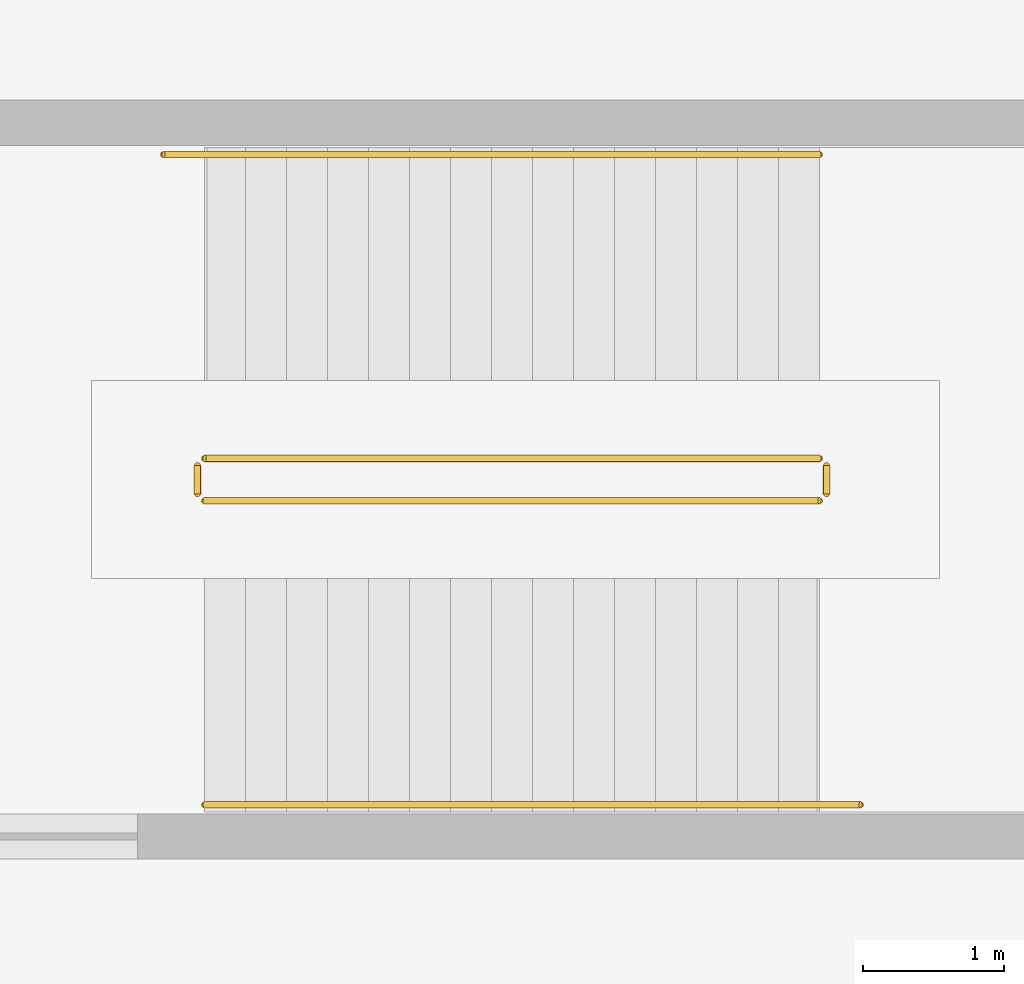
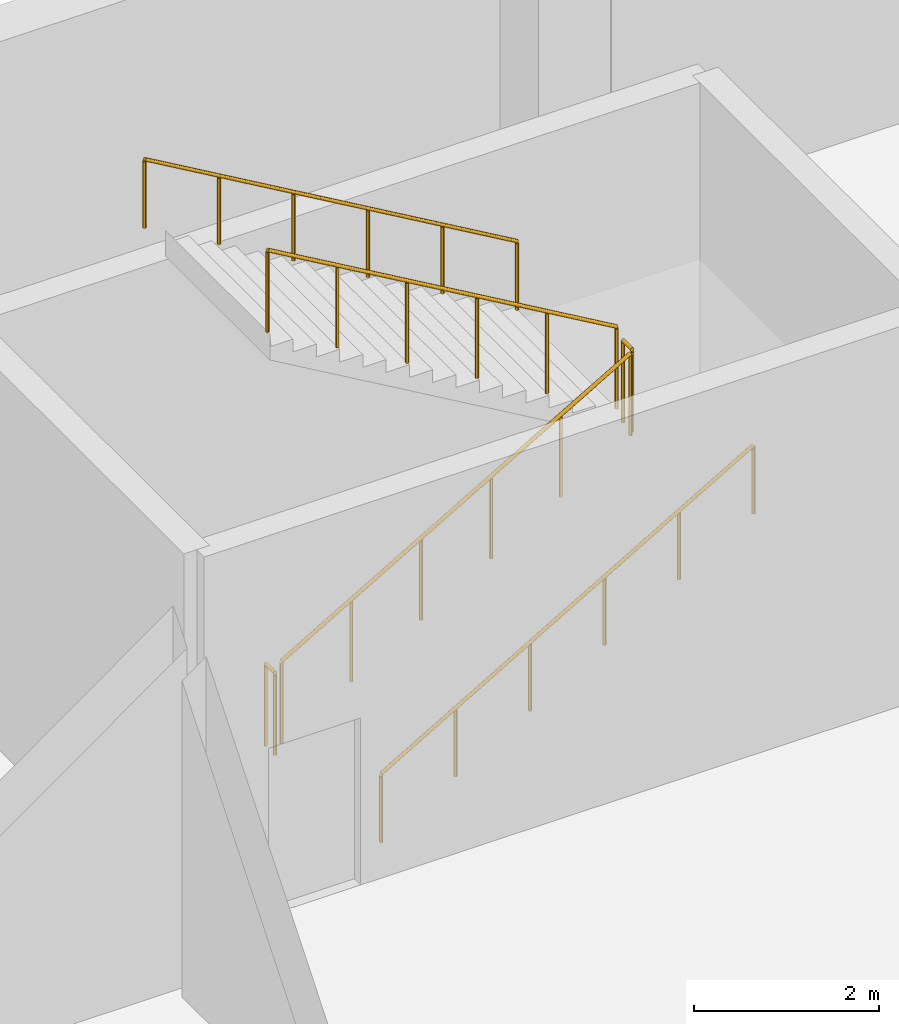
# One storey, part 58 of 60: 6 railings.
"""IFC4 building model written with IfcOpenShell, lengths in metres."""

from ifc_helpers import new_model, si_unit, direction, frame, origin, origin_2d, place, context, subcontext, project, spatial, circle, extrude, material, type_object, element, save


model = new_model("IFC4")

# Units and contexts
model_context = context("Model", 3, precision=1e-05, world=origin(), true_north=direction((0.0, 1.0)))
body_context = subcontext(model_context, "Body", "Model", "MODEL_VIEW")
ifc_project = project(units=[si_unit("LENGTHUNIT", "METRE"), si_unit("AREAUNIT", "SQUARE_METRE"), si_unit("VOLUMEUNIT", "CUBIC_METRE"), si_unit("PLANEANGLEUNIT", "RADIAN"), si_unit("MASSUNIT", "GRAM", prefix="KILO")], contexts=[model_context])

# Site, building, storey
site_placement = place(None, origin())
site = spatial("IfcSite", under=ifc_project, at=site_placement, CompositionType="ELEMENT")
building_placement = place(site_placement, origin())
building = spatial("IfcBuilding", under=site, at=building_placement, Name="Trimount Lyric Opera House", CompositionType="ELEMENT")
storey_placement = place(building_placement, frame((0.0, 0.0, -5.39990234375)))
storey = spatial("IfcBuildingStorey", under=building, at=storey_placement, Name="B1", CompositionType="ELEMENT", Elevation=-5.39990234375)

# Railings
ifc_material_1 = material(Name="Brushed Stainless Steel 316", Category="steel")
railing_type_1 = type_object("IfcRailingType", Name="RL-GRD110", PredefinedType="GUARDRAIL", material=ifc_material_1)
railing_1_placement = place(storey_placement, frame((106.550048828125, 110.60009765625, 0.168701171875)))
element("IfcRailing", 1, at=railing_1_placement, inside=storey, type_object=railing_type_1, Name="B1 ST-02 stair guard 1", PredefinedType="GUARDRAIL", context=body_context, shape_type="SweptSolid", body=[
    extrude(circle(Radius=0.02392578125, at=origin_2d()), frame((0.0, 0.0, 1.076171875), z_axis=(0.864311530196, 0.0, 0.502956835891), x_axis=(0.0, 1.0, 0.0)), (0.0, 0.0, 1.0), 5.03271484375),
    extrude(circle(Radius=0.02099609375, at=origin_2d()), origin(), (0.0, 0.0, 1.0), 1.052001953125),
    extrude(circle(Radius=0.02099609375, at=origin_2d()), frame((0.869873046875, 0.0, 0.50634765625)), (0.0, 0.0, 1.0), 1.052001953125),
    extrude(circle(Radius=0.02099609375, at=origin_2d()), frame((1.739990234375, 0.0, 1.012451171875)), (0.0, 0.0, 1.0), 1.052001953125),
    extrude(circle(Radius=0.02099609375, at=origin_2d()), frame((2.60986328125, 0.0, 1.518798828125)), (0.0, 0.0, 1.0), 1.052001953125),
    extrude(circle(Radius=0.02099609375, at=origin_2d()), frame((3.47998046875, 0.0, 2.02490234375)), (0.0, 0.0, 1.0), 1.052001953125),
    extrude(circle(Radius=0.02099609375, at=origin_2d()), frame((4.349853515625, 0.0, 2.53125)), (0.0, 0.0, 1.0), 1.052001953125),
])
railing_2_placement = place(storey_placement, frame((110.949951171875, 110.64990234375, 2.699951171875)))
element("IfcRailing", 2, at=railing_2_placement, inside=storey, type_object=railing_type_1, Name="B1 ST-02 stair guard 2", PredefinedType="GUARDRAIL", context=body_context, shape_type="SweptSolid", body=[
    extrude(circle(Radius=0.02392578125, at=origin_2d()), frame((0.0, 0.0, 1.076171875), z_axis=(0.0, 1.0, 0.0), x_axis=(-1.0, 0.0, 0.0)), (0.0, 0.0, 1.0), 0.2001953125),
    extrude(circle(Radius=0.02099609375, at=origin_2d()), origin(), (0.0, 0.0, 1.0), 1.052001953125),
    extrude(circle(Radius=0.02099609375, at=origin_2d()), frame((0.0, 0.2001953125, 0.0)), (0.0, 0.0, 1.0), 1.052001953125),
])
railing_3_placement = place(storey_placement, frame((110.89990234375, 110.89990234375, 2.86865234375)))
element("IfcRailing", 3, at=railing_3_placement, inside=storey, type_object=railing_type_1, Name="B1 ST-02 stair guard 3", PredefinedType="GUARDRAIL", context=body_context, shape_type="SweptSolid", body=[
    extrude(circle(Radius=0.02392578125, at=origin_2d()), frame((0.0, 0.0, 1.076171875), z_axis=(-0.864311530196, 0.0, 0.502956835891), x_axis=(0.0, -1.0, 0.0)), (0.0, 0.0, 1.0), 5.03271484375),
    extrude(circle(Radius=0.02099609375, at=origin_2d()), origin(), (0.0, 0.0, 1.0), 1.052001953125),
    extrude(circle(Radius=0.02099609375, at=origin_2d()), frame((-0.869873046875, 0.0, 0.50634765625)), (0.0, 0.0, 1.0), 1.052001953125),
    extrude(circle(Radius=0.02099609375, at=origin_2d()), frame((-1.739990234375, 0.0, 1.012451171875)), (0.0, 0.0, 1.0), 1.052001953125),
    extrude(circle(Radius=0.02099609375, at=origin_2d()), frame((-2.60986328125, 0.0, 1.518798828125)), (0.0, 0.0, 1.0), 1.052001953125),
    extrude(circle(Radius=0.02099609375, at=origin_2d()), frame((-3.47998046875, 0.0, 2.02490234375)), (0.0, 0.0, 1.0), 1.052001953125),
    extrude(circle(Radius=0.02099609375, at=origin_2d()), frame((-4.349853515625, 0.0, 2.53125)), (0.0, 0.0, 1.0), 1.052001953125),
])
railing_4_placement = place(storey_placement, frame((106.5, 110.64990234375, 0.0)))
element("IfcRailing", 4, at=railing_4_placement, inside=storey, type_object=railing_type_1, Name="B1 ST-02 stair guard 4", PredefinedType="GUARDRAIL", context=body_context, shape_type="SweptSolid", body=[
    extrude(circle(Radius=0.02392578125, at=origin_2d()), frame((0.0, 0.0, 1.076171875), z_axis=(0.0, 1.0, 0.0), x_axis=(-1.0, 0.0, 0.0)), (0.0, 0.0, 1.0), 0.2001953125),
    extrude(circle(Radius=0.02099609375, at=origin_2d()), origin(), (0.0, 0.0, 1.0), 1.052001953125),
    extrude(circle(Radius=0.02099609375, at=origin_2d()), frame((0.0, 0.2001953125, 0.0)), (0.0, 0.0, 1.0), 1.052001953125),
])
ifc_material_2 = material(Name="Brushed Stainless Steel 316", Category="steel")
railing_type_2 = type_object("IfcRailingType", Name="RL-HND092", PredefinedType="HANDRAIL", material=ifc_material_2)
railing_5_placement = place(storey_placement, frame((106.550048828125, 108.449951171875, 0.168701171875)))
element("IfcRailing", 5, at=railing_5_placement, inside=storey, type_object=railing_type_2, Name="B1 ST-02 stair handrail 1", PredefinedType="HANDRAIL", context=body_context, shape_type="SweptSolid", body=[
    extrude(circle(Radius=0.0224609375, at=origin_2d()), frame((0.0, 0.0, 0.8974609375), z_axis=(0.864060742353, 0.0, 0.503387557976), x_axis=(0.0, 1.0, 0.0)), (0.0, 0.0, 1.0), 5.369873046875),
    extrude(circle(Radius=0.02099609375, at=origin_2d()), origin(), (0.0, 0.0, 1.0), 0.875),
    extrude(circle(Radius=0.02099609375, at=origin_2d()), frame((0.927978515625, 0.0, 0.54052734375)), (0.0, 0.0, 1.0), 0.875),
    extrude(circle(Radius=0.02099609375, at=origin_2d()), frame((1.85595703125, 0.0, 1.081298828125)), (0.0, 0.0, 1.0), 0.875),
    extrude(circle(Radius=0.02099609375, at=origin_2d()), frame((2.783935546875, 0.0, 1.621826171875)), (0.0, 0.0, 1.0), 0.875),
    extrude(circle(Radius=0.02099609375, at=origin_2d()), frame((3.7119140625, 0.0, 2.16259765625)), (0.0, 0.0, 1.0), 0.875),
    extrude(circle(Radius=0.02099609375, at=origin_2d()), frame((4.639892578125, 0.0, 2.703125)), (0.0, 0.0, 1.0), 0.875),
])
railing_6_placement = place(storey_placement, frame((110.89990234375, 113.050048828125, 2.86865234375)))
element("IfcRailing", 6, at=railing_6_placement, inside=storey, type_object=railing_type_2, Name="B1 ST-02 stair handrail 2", PredefinedType="HANDRAIL", context=body_context, shape_type="SweptSolid", body=[
    extrude(circle(Radius=0.0224609375, at=origin_2d()), frame((0.0, 0.0, 0.8974609375), z_axis=(-0.864060742353, 0.0, 0.503387557976), x_axis=(0.0, -1.0, 0.0)), (0.0, 0.0, 1.0), 5.369873046875),
    extrude(circle(Radius=0.02099609375, at=origin_2d()), origin(), (0.0, 0.0, 1.0), 0.875),
    extrude(circle(Radius=0.02099609375, at=origin_2d()), frame((-0.927978515625, 0.0, 0.54052734375)), (0.0, 0.0, 1.0), 0.875),
    extrude(circle(Radius=0.02099609375, at=origin_2d()), frame((-1.85595703125, 0.0, 1.081298828125)), (0.0, 0.0, 1.0), 0.875),
    extrude(circle(Radius=0.02099609375, at=origin_2d()), frame((-2.783935546875, 0.0, 1.621826171875)), (0.0, 0.0, 1.0), 0.875),
    extrude(circle(Radius=0.02099609375, at=origin_2d()), frame((-3.7119140625, 0.0, 2.16259765625)), (0.0, 0.0, 1.0), 0.875),
    extrude(circle(Radius=0.02099609375, at=origin_2d()), frame((-4.639892578125, 0.0, 2.703125)), (0.0, 0.0, 1.0), 0.875),
])

save(model, "model.ifc")
